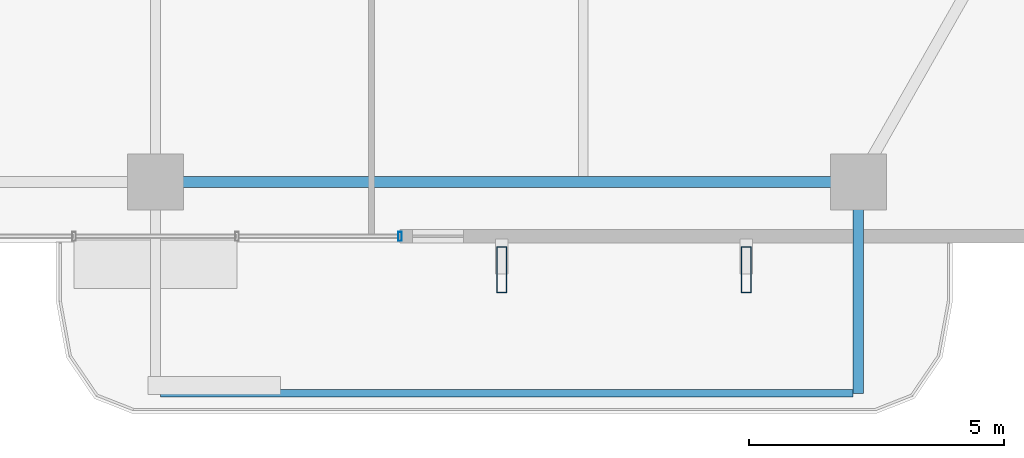
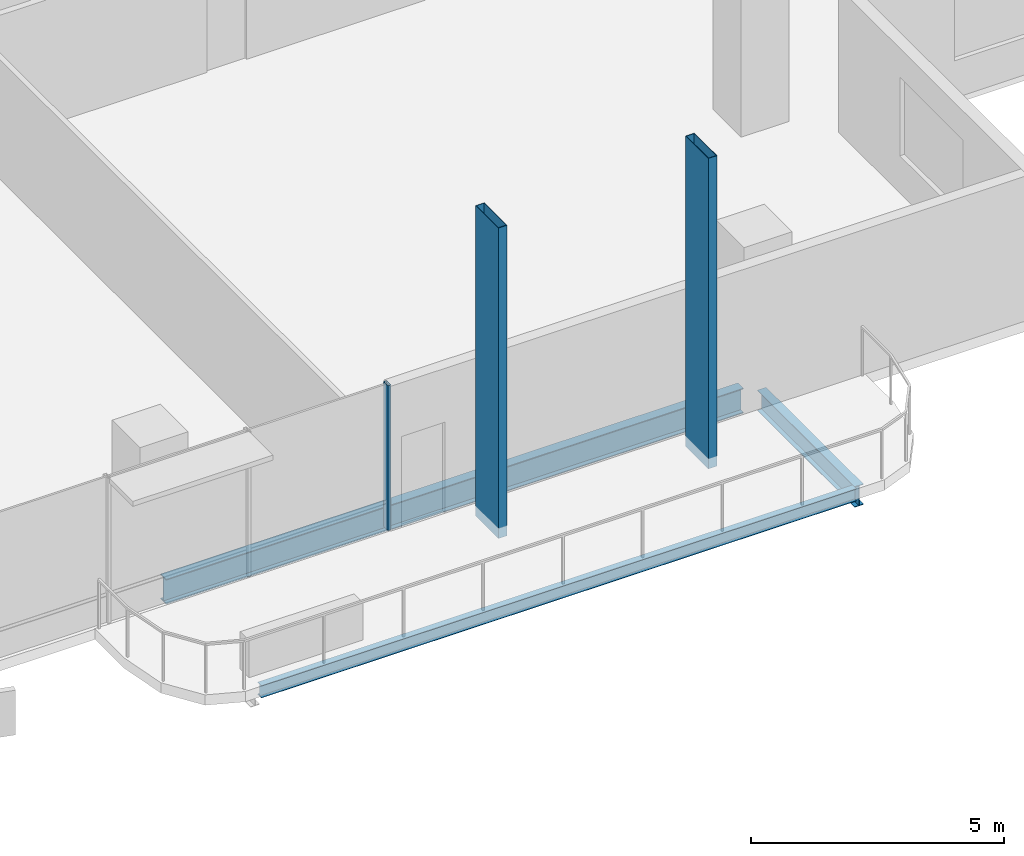
# One storey, part 6 of 24: 3 beams, 3 members, 1 element without a shape of its own.
"""IFC4 building model written with IfcOpenShell, lengths in metres."""

from ifc_helpers import new_model, si_unit, direction, frame, origin, origin_2d, place, context, subcontext, project, spatial, hollow_rectangle, i_section, extrude, material, layer, layer_set, material_profile, profile_set, type_object, element, aggregate, save


model = new_model("IFC4")

# Units and contexts
model_context = context("Model", 3, precision=1e-05, world=origin(), true_north=direction((0.0, 1.0)))
body_context = subcontext(model_context, "Body", "Model", "MODEL_VIEW")
ifc_project = project(units=[si_unit("LENGTHUNIT", "METRE"), si_unit("AREAUNIT", "SQUARE_METRE"), si_unit("VOLUMEUNIT", "CUBIC_METRE"), si_unit("PLANEANGLEUNIT", "RADIAN"), si_unit("MASSUNIT", "GRAM", prefix="KILO")], contexts=[model_context])

# Site, building, storey
site_placement = place(None, origin())
site = spatial("IfcSite", under=ifc_project, at=site_placement, CompositionType="ELEMENT")
building_placement = place(site_placement, origin())
building = spatial("IfcBuilding", under=site, at=building_placement, Name="Belovzor Exchange Tower", CompositionType="ELEMENT")
storey_placement = place(building_placement, frame((0.0, 0.0, 233.699951171875)))
storey = spatial("IfcBuildingStorey", under=building, at=storey_placement, Name="L58", CompositionType="ELEMENT", Elevation=233.699951171875)

# Beams
ifc_material_1 = material(Name="Steel S355", Category="steel")
ifc_material_profile_1 = material_profile(ifc_material_1, i_section(OverallWidth=0.199951171875, OverallDepth=0.5, WebThickness=0.01025390625, FlangeThickness=0.01611328125, at=origin_2d()))
ifc_profile_set_1 = profile_set([ifc_material_profile_1], Name="Steel S355")
beam_type_1 = type_object("IfcBeamType", Name="Planted Balcony Cantilever Beam IPE 500", PredefinedType="BEAM", material=ifc_profile_set_1)
beam_1_placement = place(storey_placement, frame((42.60009765625, 2.697021484375, -0.5), z_axis=(0.0, -1.0, 0.0), x_axis=(1.0, 0.0, 0.0)))
element("IfcBeam", 1, at=beam_1_placement, inside=storey, type_object=beam_type_1, Name="BC-500 Planted Balcony Cantilever Beam IPE 500", PredefinedType="BEAM", context=body_context, shape_type="SweptSolid", body=[
    extrude(i_section(OverallWidth=0.199951171875, OverallDepth=0.5, WebThickness=0.01025390625, FlangeThickness=0.01611328125, at=origin_2d()), origin(), (0.0, 0.0, 1.0), 3.85009765625),
])
ifc_material_2 = material(Name="Steel S355", Category="steel")
ifc_material_profile_2 = material_profile(ifc_material_2, i_section(OverallWidth=0.14990234375, OverallDepth=0.300048828125, WebThickness=0.007080078125, FlangeThickness=0.0107421875, at=origin_2d()))
ifc_profile_set_2 = profile_set([ifc_material_profile_2], Name="Steel S355")
beam_type_2 = type_object("IfcBeamType", Name="Planted Balcony Fascia Edge Beam IPE 300", PredefinedType="BEAM", material=ifc_profile_set_2)
beam_2_placement = place(storey_placement, frame((28.89990234375, -1.153076171875, -0.39990234375), z_axis=(1.0, 0.0, 0.0), x_axis=(0.0, 1.0, 0.0)))
element("IfcBeam", 2, at=beam_2_placement, inside=storey, type_object=beam_type_2, Name="BC-300 Planted Balcony Fascia Edge Beam IPE 300", PredefinedType="BEAM", context=body_context, shape_type="SweptSolid", body=[
    extrude(i_section(OverallWidth=0.14990234375, OverallDepth=0.300048828125, WebThickness=0.007080078125, FlangeThickness=0.0107421875, at=origin_2d()), origin(), (0.0, 0.0, 1.0), 13.60009765625),
])

# Members
ifc_material_3 = material(Name="Extruded Architectural Terracotta on Steel S355 Carrier", Category="masonry")
ifc_material_profile_3 = material_profile(ifc_material_3, hollow_rectangle(XDim=0.199951171875, YDim=0.89990234375, WallThickness=0.011962890625, at=origin_2d()))
ifc_profile_set_3 = profile_set([ifc_material_profile_3], Name="Extruded Architectural Terracotta on Steel S355 Carrier")
member_type_1 = type_object("IfcMemberType", Name="Sweeping Terracotta Baguette Fin Assembly 950", PredefinedType="USERDEFINED", material=ifc_profile_set_3)
for number, where, z_axis, x_axis, name in (
    (3, (35.60009765625, 1.27490234375, -0.25), (0.0, 0.0, 1.0), (1.0, 0.0, 0.0), "FIN-TC095 Terracotta Facade Fin L58 S3"),
    (4, (40.39990234375, 1.27490234375, -0.25), (0.0, 0.0, 1.0), (1.0, 0.0, 0.0), "FIN-TC095 Terracotta Facade Fin L58 S4"),
):
    element("IfcMember", number, at=place(storey_placement, frame(where, z_axis=z_axis, x_axis=x_axis)), inside=storey, type_object=member_type_1, Name=name, ObjectType="FIN", PredefinedType="USERDEFINED", context=body_context, shape_type="SweptSolid", body=[
        extrude(hollow_rectangle(XDim=0.199951171875, YDim=0.89990234375, WallThickness=0.011962890625, at=origin_2d()), origin(), (0.0, 0.0, 1.0), 7.5),
    ])

# Curtain wall, member
ifc_material_4 = material(Name="Anodised Aluminium Framing", Category="aluminium")
ifc_layer = layer(ifc_material_4, 0.179931640625)
ifc_layer_set = layer_set([ifc_layer], Name="Anodised Aluminium Framing")
curtain_wall_type = type_object("IfcCurtainWallType", Name="Recessed Loggia Low-Iron Triple-Glazed Curtain Wall", PredefinedType="NOTDEFINED", material=ifc_layer_set)
curtain_wall_placement = place(storey_placement, origin())
curtain_wall = element("IfcCurtainWall", 5, at=curtain_wall_placement, inside=storey, type_object=curtain_wall_type, Name="CW3 Recessed Loggia Low-Iron Triple-Glazed Curtain Wall L58", PredefinedType="NOTDEFINED")
ifc_material_5 = material(Name="Steel S355", Category="steel")
ifc_material_profile_4 = material_profile(ifc_material_5, hollow_rectangle(XDim=0.074951171875, YDim=0.179931640625, WallThickness=0.0048828125, at=origin_2d()))
ifc_profile_set_4 = profile_set([ifc_material_profile_4], Name="Steel S355")
member_type_2 = type_object("IfcMemberType", Name="Thermally Broken Curtain Wall Mullion 180x75", PredefinedType="MULLION", material=ifc_profile_set_4)
member_placement = place(storey_placement, frame((33.60009765625, 1.929931640625, 0.0), z_axis=(0.0, 0.0, 1.0), x_axis=(-1.0, 0.0, 0.0)))
member = element("IfcMember", 6, at=member_placement, type_object=member_type_2, Name="CW-M180 Curtain Wall Mullion 1", PredefinedType="MULLION", context=body_context, shape_type="SweptSolid", body=[
    extrude(hollow_rectangle(XDim=0.074951171875, YDim=0.179931640625, WallThickness=0.0048828125, at=origin_2d()), origin(), (0.0, 0.0, 1.0), 3.5),
])
aggregate(curtain_wall, [member])

# Beam
ifc_material_6 = material(Name="Steel S355", Category="steel")
ifc_material_profile_5 = material_profile(ifc_material_6, i_section(OverallWidth=0.219970703125, OverallDepth=0.60009765625, WebThickness=0.011962890625, FlangeThickness=0.01904296875, at=origin_2d()))
ifc_profile_set_5 = profile_set([ifc_material_profile_5], Name="Steel S355")
beam_type_3 = type_object("IfcBeamType", Name="Zone 4 Flare Primary Girder IPE 600", PredefinedType="BEAM", material=ifc_profile_set_5)
beam_3_placement = place(storey_placement, frame((29.10205078125, 3.0, -0.550048828125), z_axis=(1.0, 0.0, 0.0), x_axis=(0.0, 1.0, 0.0)))
element("IfcBeam", 7, at=beam_3_placement, inside=storey, type_object=beam_type_3, Name="FG-Z4 Zone 4 Flare Primary Girder IPE 600", PredefinedType="BEAM", context=body_context, shape_type="SweptSolid", body=[
    extrude(i_section(OverallWidth=0.219970703125, OverallDepth=0.60009765625, WebThickness=0.011962890625, FlangeThickness=0.01904296875, at=origin_2d()), origin(), (0.0, 0.0, 1.0), 13.195068359375),
])

save(model, "model.ifc")
